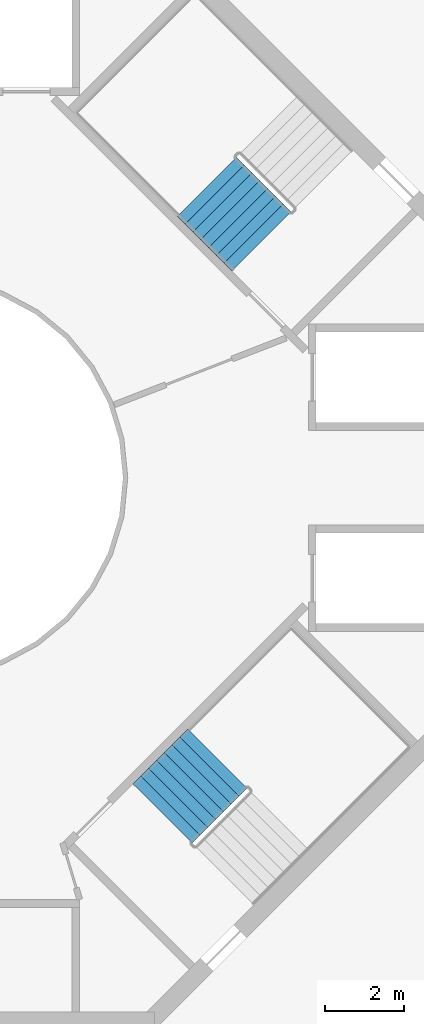
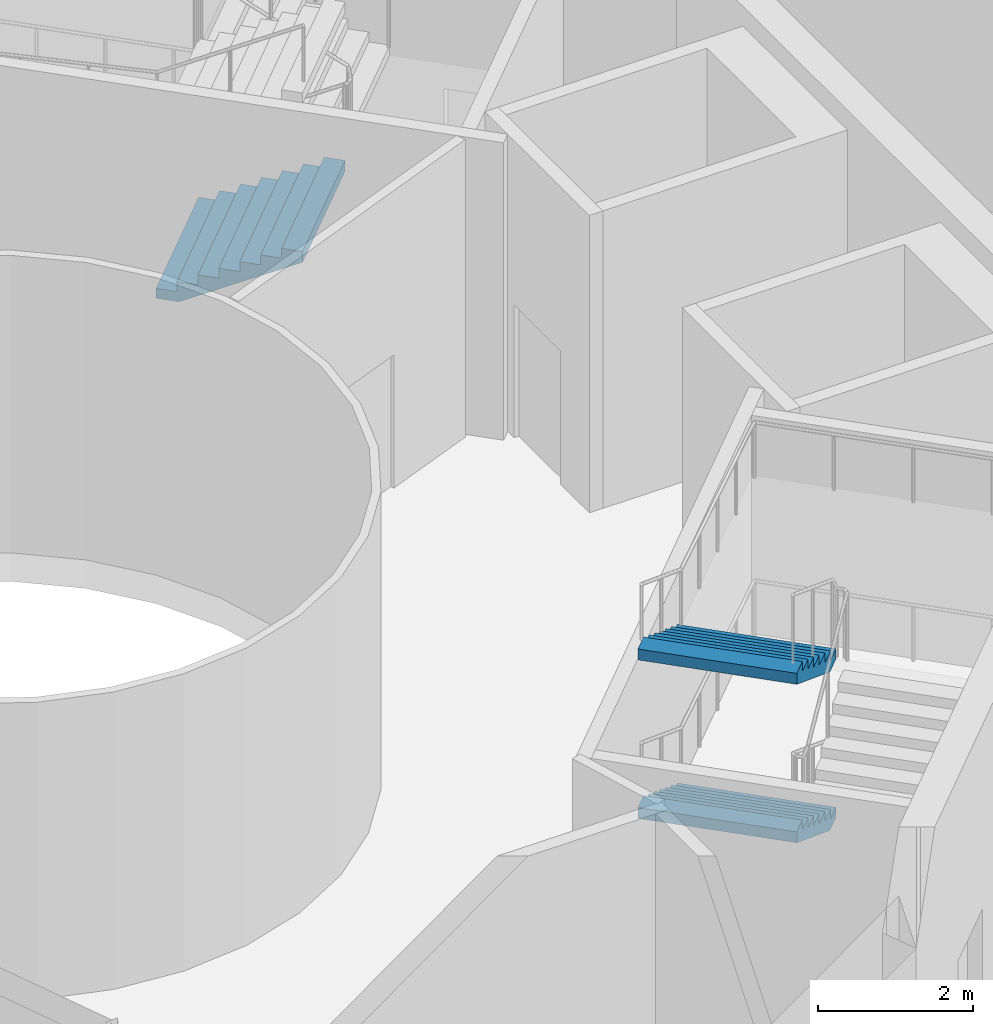
# One storey, part 18 of 21: 3 stair flights, 2 elements without a shape of their own.
"""IFC4 building model written with IfcOpenShell, lengths in metres."""

import ifcopenshell
import ifcopenshell.guid

model = None  # the IFC model being written
_history = None  # IfcOwnerHistory: only IFC2X3 demands one
_inside = {}  # id of a spatial element -> (the spatial element, [elements in it])
_under = {}  # id of a project, library or spatial element -> (it, [spatial elements below it])
_declared = {}  # id of a project -> (the project, [libraries it declares])
_typed = {}  # id of a type object -> (the type object, [elements of that type])
_made_of = {}  # id of a material, layer set ... -> (it, [elements and type objects made of it])


def new_model(schema):
    """Start an empty IFC model of exactly this schema.

    Asked for "IFC4X3", IfcOpenShell would pick the latest addendum, in which some entities
    have other attributes; the version numbers below select the first issue.
    IFC2X3 requires an IfcOwnerHistory on every rooted entity: one is made here for all.
    """
    global model, _history
    if schema == "IFC4X3":
        model = ifcopenshell.file(schema_version=(4, 3, 0, 0))
    else:
        model = ifcopenshell.file(schema=schema)
    _inside.clear()
    _under.clear()
    _declared.clear()
    _typed.clear()
    _made_of.clear()
    _history = None
    if model.schema == "IFC2X3":
        org = make("IfcOrganization", Name="unknown")
        user = make(
            "IfcPersonAndOrganization",
            ThePerson=make("IfcPerson", FamilyName="unknown"),
            TheOrganization=org,
        )
        app = make(
            "IfcApplication",
            ApplicationDeveloper=org,
            Version="unknown",
            ApplicationFullName="unknown",
            ApplicationIdentifier="unknown",
        )
        _history = make(
            "IfcOwnerHistory",
            OwningUser=user,
            OwningApplication=app,
            ChangeAction="ADDED",
            CreationDate=0,
        )
    return model


def make(cls, **values):
    """One entity of the class cls with the attributes given. An attribute that is None is left unset."""
    return model.create_entity(
        cls, **{name: value for name, value in values.items() if value is not None}
    )


def rooted(cls, **values):
    """An entity with a GlobalId (a new one), such as an element, a storey or a relation."""
    return make(cls, GlobalId=ifcopenshell.guid.new(), OwnerHistory=_history, **values)


def si_unit(unit_type, name, prefix=None):
    """IfcSIUnit, for example si_unit("LENGTHUNIT", "METRE", prefix="MILLI")."""
    return make("IfcSIUnit", UnitType=unit_type, Prefix=prefix, Name=name)


def assignment(units):
    """IfcUnitAssignment: the units of a project."""
    return None if units is None else make("IfcUnitAssignment", Units=units)


def point(xyz):
    """IfcCartesianPoint."""
    return None if xyz is None else make("IfcCartesianPoint", Coordinates=xyz)


def direction(xyz):
    """IfcDirection."""
    return None if xyz is None else make("IfcDirection", DirectionRatios=xyz)


def frame(location, z_axis=None, x_axis=None):
    """IfcAxis2Placement3D, a coordinate frame: its origin and axes. An axis left out is left unset."""
    return make(
        "IfcAxis2Placement3D",
        Location=point(location),
        Axis=direction(z_axis),
        RefDirection=direction(x_axis),
    )


def origin():
    """The frame at (0, 0, 0) with its axes left unset."""
    return frame((0.0, 0.0, 0.0))


def place(relative_to, where):
    """IfcLocalPlacement: puts the frame where relative to a parent placement (None: the world)."""
    return make(
        "IfcLocalPlacement", PlacementRelTo=relative_to, RelativePlacement=where
    )


def context(
    kind, dimensions, precision=None, world=None, true_north=None, identifier=None
):
    """IfcGeometricRepresentationContext, for example the 3D "Model" context."""
    return make(
        "IfcGeometricRepresentationContext",
        ContextIdentifier=identifier,
        ContextType=kind,
        CoordinateSpaceDimension=dimensions,
        Precision=precision,
        WorldCoordinateSystem=world,
        TrueNorth=true_north,
    )


def subcontext(parent, identifier, kind, view, scale=None):
    """IfcGeometricRepresentationSubContext, for example "Body" below "Model"."""
    return make(
        "IfcGeometricRepresentationSubContext",
        ContextIdentifier=identifier,
        ContextType=kind,
        ParentContext=parent,
        TargetScale=scale,
        TargetView=view,
    )


def project(units=None, contexts=None):
    """IfcProject with its units and contexts."""
    return rooted(
        "IfcProject",
        Name="project",
        RepresentationContexts=contexts,
        UnitsInContext=assignment(units),
    )


def spatial(cls, under=None, at=None, **own):
    """A site, building, storey or space (cls), placed at a placement, below another one or the project."""
    s = rooted(cls, ObjectPlacement=at, **own)
    if under is not None:
        _under.setdefault(under.id(), (under, []))[1].append(s)
    return s


def point_list(points):
    """IfcCartesianPointList2D or 3D."""
    cls = (
        "IfcCartesianPointList2D" if len(points[0]) == 2 else "IfcCartesianPointList3D"
    )
    return make(cls, CoordList=points)


def triangles(points, corners, closed=None, point_numbers=None):
    """IfcTriangulatedFaceSet: each triangle names its three corners, points numbered from 1."""
    return make(
        "IfcTriangulatedFaceSet",
        Coordinates=point_list(points),
        Closed=closed,
        CoordIndex=corners,
        PnIndex=point_numbers,
    )


def shape(context_of_items, identifier, shape_type, items):
    """IfcShapeRepresentation: the items that make up one representation, for example the "Body"."""
    return make(
        "IfcShapeRepresentation",
        ContextOfItems=context_of_items,
        RepresentationIdentifier=identifier,
        RepresentationType=shape_type,
        Items=items,
    )


def material(Name=None, Category=None):
    """IfcMaterial."""
    return make("IfcMaterial", Name=Name, Category=Category)


def made_of(thing, what):
    """Note that an element or type object is made of a material, layer set ...; save() writes the relation."""
    if what is not None:
        _made_of.setdefault(what.id(), (what, []))[1].append(thing)
    return thing


def type_object(cls, material=None, **own):
    """A type object (cls), such as IfcWallType, which elements share."""
    return made_of(rooted(cls, **own), material)


def element(
    cls,
    number,
    at=None,
    inside=None,
    cuts=None,
    type_object=None,
    material=None,
    context=None,
    identifier="Body",
    shape_type=None,
    held_by="IfcProductDefinitionShape",
    body=None,
    shapes=None,
    **own,
):
    """One element of the class cls, such as IfcWall. Its Tag is "e" and its number.

    at: its placement. inside: the storey or other place that contains it. cuts: it is an
    opening in that element (IfcRelVoidsElement). A single representation is given by context,
    identifier, shape_type and body (its items); several are given by shapes. held_by: the class
    of the entity that holds the representations. save() writes the other relations.
    """
    e = rooted(cls, Tag="e%d" % number, ObjectPlacement=at, **own)
    if body is not None:
        shapes = [shape(context, identifier, shape_type, body)]
    if shapes is not None:
        e.Representation = make(held_by, Representations=shapes)
    if inside is not None:
        _inside.setdefault(inside.id(), (inside, []))[1].append(e)
    if cuts is not None:
        rooted(
            "IfcRelVoidsElement", RelatingBuildingElement=cuts, RelatedOpeningElement=e
        )
    if type_object is not None:
        _typed.setdefault(type_object.id(), (type_object, []))[1].append(e)
    return made_of(e, material)


def aggregate(whole, parts):
    """IfcRelAggregates: a whole, such as a stair, and the parts it consists of."""
    return rooted("IfcRelAggregates", RelatingObject=whole, RelatedObjects=parts)


def save(model, path):
    """Write the relations noted so far, then the file.

    IfcRelAggregates (storeys below a building ...), IfcRelContainedInSpatialStructure (elements
    in a storey), IfcRelDefinesByType, IfcRelAssociatesMaterial and IfcRelDeclares: one each for
    every whole, place, type object, material and project.
    """
    for whole, parts in _under.values():
        aggregate(whole, parts)
    for where, things in _inside.values():
        rooted(
            "IfcRelContainedInSpatialStructure",
            RelatedElements=things,
            RelatingStructure=where,
        )
    for kind, things in _typed.values():
        rooted("IfcRelDefinesByType", RelatedObjects=things, RelatingType=kind)
    for what, things in _made_of.values():
        rooted("IfcRelAssociatesMaterial", RelatedObjects=things, RelatingMaterial=what)
    for by, libraries in _declared.values():
        rooted("IfcRelDeclares", RelatingContext=by, RelatedDefinitions=libraries)
    model.write(path)


model = new_model("IFC4")

# Units and contexts
model_context = context("Model", 3, precision=1e-05, world=origin(), true_north=direction((0.0, 1.0)))
body_context = subcontext(model_context, "Body", "Model", "MODEL_VIEW")
ifc_project = project(units=[si_unit("LENGTHUNIT", "METRE"), si_unit("AREAUNIT", "SQUARE_METRE"), si_unit("VOLUMEUNIT", "CUBIC_METRE"), si_unit("PLANEANGLEUNIT", "RADIAN"), si_unit("MASSUNIT", "GRAM", prefix="KILO")], contexts=[model_context])

# Site, building, storey
site_placement = place(None, origin())
site = spatial("IfcSite", under=ifc_project, at=site_placement, CompositionType="ELEMENT")
building_placement = place(site_placement, origin())
building = spatial("IfcBuilding", under=site, at=building_placement, Name="Verdalira Terraces Hotel", CompositionType="ELEMENT")
storey_placement = place(building_placement, frame((0.0, 0.0, 269.0)))
storey = spatial("IfcBuildingStorey", under=building, at=storey_placement, Name="L66", CompositionType="ELEMENT", Elevation=269.0)

# Stair, stair flight
ifc_material_1 = material(Name="Concrete C40", Category="concrete")
stair_type = type_object("IfcStairType", Name="Core stair 32 risers 2125 mm wide", PredefinedType="HALF_TURN_STAIR", material=ifc_material_1)
stair_1_placement = place(storey_placement, origin())
stair_1 = element("IfcStair", 1, at=stair_1_placement, inside=storey, type_object=stair_type, Name="L66 Exit stair ST1", PredefinedType="HALF_TURN_STAIR")
ifc_material_2 = material(Name="Concrete C40", Category="concrete")
stair_flight_type = type_object("IfcStairFlightType", Name="Core stair flight 32 risers 2125 mm wide", PredefinedType="STRAIGHT", material=ifc_material_2)
stair_flight_1_placement = place(storey_placement, frame((7.125977, 7.387451, 1.25), z_axis=(0.0, 0.0, 1.0), x_axis=(0.707106781, -0.707106781, 0.0)))
stair_flight_1 = element("IfcStairFlight", 2, at=stair_flight_1_placement, type_object=stair_flight_type, Name="ST1 flight 2", NumberOfRisers=8, NumberOfTreads=7, PredefinedType="STRAIGHT", RiserHeight=0.15625, TreadLength=0.28, context=body_context, shape_type="Tessellation", body=[
    triangles([(0.0, 1.0625, 0.0), (0.307617, 1.0625, 0.0), (1.959961, 1.0625, 0.922119), (0.0, -1.0625, 0.0), (0.307617, -1.0625, 0.0), (1.959961, -1.0625, 0.922119), (1.959961, 1.0625, 1.09375), (1.679932, 1.0625, 1.09375), (1.959961, -1.0625, 1.09375), (1.679932, -1.0625, 1.09375), (1.679932, 1.0625, 0.9375), (1.679932, -1.0625, 0.9375), (1.399902, 1.0625, 0.9375), (1.399902, -1.0625, 0.9375), (1.399902, 1.0625, 0.78125), (1.399902, -1.0625, 0.78125), (1.120117, 1.0625, 0.78125), (1.120117, 1.0625, 0.625), (1.120117, -1.0625, 0.78125), (1.120117, -1.0625, 0.625), (0.840088, 1.0625, 0.625), (0.840088, 1.0625, 0.46875), (0.840088, -1.0625, 0.625), (0.840088, -1.0625, 0.46875), (0.560059, 1.0625, 0.46875), (0.560059, 1.0625, 0.3125), (0.560059, -1.0625, 0.46875), (0.560059, -1.0625, 0.3125), (0.280029, 1.0625, 0.3125), (0.280029, 1.0625, 0.15625), (0.280029, -1.0625, 0.3125), (0.280029, -1.0625, 0.15625), (0.0, 1.0625, 0.15625), (0.0, -1.0625, 0.15625), (0.0, -0.996094, 0.0), (0.0, -0.996094, 0.15625), (0.0, -0.929688, 0.0), (0.0, -0.929688, 0.15625), (0.0, -0.863281, 0.0), (0.0, -0.863281, 0.15625), (0.0, -0.796875, 0.0), (0.0, -0.796875, 0.15625), (0.0, -0.730469, 0.0), (0.0, -0.730469, 0.15625), (0.0, -0.664062, 0.0), (0.0, -0.664062, 0.15625), (0.0, -0.597656, 0.0), (0.0, -0.597656, 0.15625), (0.0, -0.53125, 0.0), (0.0, -0.53125, 0.15625), (0.0, -0.464844, 0.0), (0.0, -0.464844, 0.15625), (0.0, -0.398438, 0.0), (0.0, -0.398438, 0.15625), (0.0, -0.332031, 0.0), (0.0, -0.332031, 0.15625), (0.0, -0.265625, 0.0), (0.0, -0.265625, 0.15625), (0.0, -0.199219, 0.0), (0.0, -0.199219, 0.15625), (0.0, -0.132812, 0.0), (0.0, -0.132812, 0.15625), (0.0, -0.066406, 0.0), (0.0, -0.066406, 0.15625), (0.0, 0.0, 0.0), (0.0, 0.0, 0.15625), (0.0, 0.066406, 0.0), (0.0, 0.066406, 0.15625), (0.0, 0.132812, 0.0), (0.0, 0.132812, 0.15625), (0.0, 0.199219, 0.0), (0.0, 0.199219, 0.15625), (0.0, 0.265625, 0.0), (0.0, 0.265625, 0.15625), (0.0, 0.332031, 0.0), (0.0, 0.332031, 0.15625), (0.0, 0.398438, 0.0), (0.0, 0.398438, 0.15625), (0.0, 0.464844, 0.0), (0.0, 0.464844, 0.15625), (0.0, 0.53125, 0.0), (0.0, 0.53125, 0.15625), (0.0, 0.597656, 0.0), (0.0, 0.597656, 0.15625), (0.0, 0.664062, 0.0), (0.0, 0.664062, 0.15625), (0.0, 0.730469, 0.0), (0.0, 0.730469, 0.15625), (0.0, 0.796875, 0.0), (0.0, 0.796875, 0.15625), (0.0, 0.863281, 0.0), (0.0, 0.863281, 0.15625), (0.0, 0.929688, 0.0), (0.0, 0.929688, 0.15625), (0.0, 0.996094, 0.0), (0.0, 0.996094, 0.15625), (1.959961, -0.996094, 1.09375), (1.959961, -0.929688, 1.09375), (1.959961, -0.863281, 1.09375), (1.959961, -0.796875, 1.09375), (1.959961, -0.730469, 1.09375), (1.959961, -0.664062, 1.09375), (1.959961, -0.597656, 1.09375), (1.959961, -0.53125, 1.09375), (1.959961, -0.464844, 1.09375), (1.959961, -0.398438, 1.09375), (1.959961, -0.332031, 1.09375), (1.959961, -0.265625, 1.09375), (1.959961, -0.199219, 1.09375), (1.959961, -0.132812, 1.09375), (1.959961, -0.066406, 1.09375), (1.959961, 0.0, 1.09375), (1.959961, 0.066406, 1.09375), (1.959961, 0.132812, 1.09375), (1.959961, 0.199219, 1.09375), (1.959961, 0.265625, 1.09375), (1.959961, 0.332031, 1.09375), (1.959961, 0.398438, 1.09375), (1.959961, 0.464844, 1.09375), (1.959961, 0.53125, 1.09375), (1.959961, 0.597656, 1.09375), (1.959961, 0.664062, 1.09375), (1.959961, 0.730469, 1.09375), (1.959961, 0.796875, 1.09375), (1.959961, 0.863281, 1.09375), (1.959961, 0.929688, 1.09375), (1.959961, 0.996094, 1.09375), (1.959961, -0.996094, 0.922119), (1.959961, -0.929688, 0.922119), (1.959961, -0.863281, 0.922119), (1.959961, -0.796875, 0.922119), (1.959961, -0.730469, 0.922119), (1.959961, -0.664062, 0.922119), (1.959961, -0.597656, 0.922119), (1.959961, -0.53125, 0.922119), (1.959961, -0.464844, 0.922119), (1.959961, -0.398438, 0.922119), (1.959961, -0.332031, 0.922119), (1.959961, -0.265625, 0.922119), (1.959961, -0.199219, 0.922119), (1.959961, -0.132812, 0.922119), (1.959961, -0.066406, 0.922119), (1.959961, 0.0, 0.922119), (1.959961, 0.066406, 0.922119), (1.959961, 0.132812, 0.922119), (1.959961, 0.199219, 0.922119), (1.959961, 0.265625, 0.922119), (1.959961, 0.332031, 0.922119), (1.959961, 0.398438, 0.922119), (1.959961, 0.464844, 0.922119), (1.959961, 0.53125, 0.922119), (1.959961, 0.597656, 0.922119), (1.959961, 0.664062, 0.922119), (1.959961, 0.730469, 0.922119), (1.959961, 0.796875, 0.922119), (1.959961, 0.863281, 0.922119), (1.959961, 0.929688, 0.922119), (1.959961, 0.996094, 0.922119)], [[1, 3, 2], [4, 5, 6], [3, 8, 7], [6, 9, 10], [3, 11, 8], [6, 10, 12], [3, 13, 11], [6, 12, 14], [3, 15, 13], [6, 14, 16], [15, 18, 17], [16, 19, 20], [3, 18, 15], [6, 16, 20], [18, 22, 21], [20, 23, 24], [3, 22, 18], [6, 20, 24], [22, 26, 25], [24, 27, 28], [3, 26, 22], [6, 24, 28], [26, 30, 29], [28, 31, 32], [3, 30, 26], [6, 28, 32], [1, 30, 3], [4, 6, 32], [30, 1, 33], [32, 34, 4], [4, 36, 35], [4, 34, 36], [35, 38, 37], [35, 36, 38], [37, 40, 39], [37, 38, 40], [39, 42, 41], [39, 40, 42], [41, 44, 43], [41, 42, 44], [43, 46, 45], [43, 44, 46], [45, 48, 47], [45, 46, 48], [47, 50, 49], [47, 48, 50], [49, 52, 51], [49, 50, 52], [51, 54, 53], [51, 52, 54], [53, 56, 55], [53, 54, 56], [55, 58, 57], [55, 56, 58], [57, 60, 59], [57, 58, 60], [59, 62, 61], [59, 60, 62], [61, 64, 63], [61, 62, 64], [63, 66, 65], [63, 64, 66], [65, 68, 67], [65, 66, 68], [67, 70, 69], [67, 68, 70], [69, 72, 71], [69, 70, 72], [71, 74, 73], [71, 72, 74], [73, 76, 75], [73, 74, 76], [75, 78, 77], [75, 76, 78], [77, 80, 79], [77, 78, 80], [79, 82, 81], [79, 80, 82], [81, 84, 83], [81, 82, 84], [83, 86, 85], [83, 84, 86], [85, 88, 87], [85, 86, 88], [87, 90, 89], [87, 88, 90], [89, 92, 91], [89, 90, 92], [91, 94, 93], [91, 92, 94], [93, 96, 95], [93, 94, 96], [95, 33, 1], [95, 96, 33], [34, 32, 36], [36, 32, 38], [38, 32, 40], [40, 32, 42], [42, 32, 44], [44, 32, 46], [46, 32, 48], [48, 32, 50], [50, 32, 52], [52, 32, 54], [54, 32, 56], [56, 32, 58], [58, 32, 60], [60, 32, 62], [62, 32, 64], [64, 32, 66], [66, 32, 68], [68, 32, 70], [70, 32, 72], [72, 32, 74], [74, 32, 76], [76, 32, 78], [78, 32, 80], [80, 32, 82], [82, 32, 84], [84, 32, 86], [86, 32, 88], [88, 32, 90], [90, 32, 92], [92, 32, 94], [94, 32, 96], [96, 32, 33], [33, 32, 30], [32, 29, 30], [32, 31, 29], [31, 26, 29], [31, 28, 26], [28, 25, 26], [28, 27, 25], [27, 22, 25], [27, 24, 22], [24, 21, 22], [24, 23, 21], [23, 18, 21], [23, 20, 18], [20, 17, 18], [20, 19, 17], [19, 15, 17], [19, 16, 15], [16, 13, 15], [16, 14, 13], [14, 11, 13], [14, 12, 11], [12, 8, 11], [12, 10, 8], [9, 97, 10], [97, 98, 10], [98, 99, 10], [99, 100, 10], [100, 101, 10], [101, 102, 10], [102, 103, 10], [103, 104, 10], [104, 105, 10], [105, 106, 10], [106, 107, 10], [107, 108, 10], [108, 109, 10], [109, 110, 10], [110, 111, 10], [111, 112, 10], [112, 113, 10], [113, 114, 10], [114, 115, 10], [115, 116, 10], [116, 117, 10], [117, 118, 10], [118, 119, 10], [119, 120, 10], [120, 121, 10], [121, 122, 10], [122, 123, 10], [123, 124, 10], [124, 125, 10], [125, 126, 10], [126, 127, 10], [127, 7, 10], [7, 8, 10], [9, 128, 97], [9, 6, 128], [97, 129, 98], [97, 128, 129], [98, 130, 99], [98, 129, 130], [99, 131, 100], [99, 130, 131], [100, 132, 101], [100, 131, 132], [101, 133, 102], [101, 132, 133], [102, 134, 103], [102, 133, 134], [103, 135, 104], [103, 134, 135], [104, 136, 105], [104, 135, 136], [105, 137, 106], [105, 136, 137], [106, 138, 107], [106, 137, 138], [107, 139, 108], [107, 138, 139], [108, 140, 109], [108, 139, 140], [109, 141, 110], [109, 140, 141], [110, 142, 111], [110, 141, 142], [111, 143, 112], [111, 142, 143], [112, 144, 113], [112, 143, 144], [113, 145, 114], [113, 144, 145], [114, 146, 115], [114, 145, 146], [115, 147, 116], [115, 146, 147], [116, 148, 117], [116, 147, 148], [117, 149, 118], [117, 148, 149], [118, 150, 119], [118, 149, 150], [119, 151, 120], [119, 150, 151], [120, 152, 121], [120, 151, 152], [121, 153, 122], [121, 152, 153], [122, 154, 123], [122, 153, 154], [123, 155, 124], [123, 154, 155], [124, 156, 125], [124, 155, 156], [125, 157, 126], [125, 156, 157], [126, 158, 127], [126, 157, 158], [127, 3, 7], [127, 158, 3], [6, 5, 128], [128, 5, 129], [129, 5, 130], [130, 5, 131], [131, 5, 132], [132, 5, 133], [133, 5, 134], [134, 5, 135], [135, 5, 136], [136, 5, 137], [137, 5, 138], [138, 5, 139], [139, 5, 140], [140, 5, 141], [141, 5, 142], [142, 5, 143], [143, 5, 144], [144, 5, 145], [145, 5, 146], [146, 5, 147], [147, 5, 148], [148, 5, 149], [149, 5, 150], [150, 5, 151], [151, 5, 152], [152, 5, 153], [153, 5, 154], [154, 5, 155], [155, 5, 156], [156, 5, 157], [157, 5, 158], [158, 5, 3], [3, 5, 2], [4, 35, 5], [35, 37, 5], [37, 39, 5], [39, 41, 5], [41, 43, 5], [43, 45, 5], [45, 47, 5], [47, 49, 5], [49, 51, 5], [51, 53, 5], [53, 55, 5], [55, 57, 5], [57, 59, 5], [59, 61, 5], [61, 63, 5], [63, 65, 5], [65, 67, 5], [67, 69, 5], [69, 71, 5], [71, 73, 5], [73, 75, 5], [75, 77, 5], [77, 79, 5], [79, 81, 5], [81, 83, 5], [83, 85, 5], [85, 87, 5], [87, 89, 5], [89, 91, 5], [91, 93, 5], [93, 95, 5], [95, 1, 5], [1, 2, 5]], closed=True),
])
aggregate(stair_1, [stair_flight_1])

# Stair, stair flights
stair_2_placement = place(storey_placement, origin())
stair_2 = element("IfcStair", 3, at=stair_2_placement, inside=storey, type_object=stair_type, Name="L66 Exit stair ST3", PredefinedType="HALF_TURN_STAIR")
stair_flight_2_placement = place(storey_placement, frame((7.387451, -7.125977, 1.25), z_axis=(0.0, 0.0, 1.0), x_axis=(-0.707106781, -0.707106781, 0.0)))
stair_flight_2 = element("IfcStairFlight", 4, at=stair_flight_2_placement, type_object=stair_flight_type, Name="ST3 flight 2", NumberOfRisers=8, NumberOfTreads=7, PredefinedType="STRAIGHT", RiserHeight=0.15625, TreadLength=0.28, context=body_context, shape_type="Tessellation", body=[
    triangles([(0.0, 1.0625, 0.0), (0.307617, 1.0625, 0.0), (1.959961, 1.0625, 0.922119), (0.0, -1.0625, 0.0), (0.307617, -1.0625, 0.0), (1.959961, -1.0625, 0.922119), (1.959961, 1.0625, 1.09375), (1.679932, 1.0625, 1.09375), (1.959961, -1.0625, 1.09375), (1.679932, -1.0625, 1.09375), (1.679932, 1.0625, 0.9375), (1.679932, -1.0625, 0.9375), (1.399902, 1.0625, 0.9375), (1.399902, -1.0625, 0.9375), (1.399902, 1.0625, 0.78125), (1.399902, -1.0625, 0.78125), (1.120117, 1.0625, 0.78125), (1.120117, 1.0625, 0.625), (1.120117, -1.0625, 0.78125), (1.120117, -1.0625, 0.625), (0.840088, 1.0625, 0.625), (0.840088, 1.0625, 0.46875), (0.840088, -1.0625, 0.625), (0.840088, -1.0625, 0.46875), (0.560059, 1.0625, 0.46875), (0.560059, 1.0625, 0.3125), (0.560059, -1.0625, 0.46875), (0.560059, -1.0625, 0.3125), (0.280029, 1.0625, 0.3125), (0.280029, 1.0625, 0.15625), (0.280029, -1.0625, 0.3125), (0.280029, -1.0625, 0.15625), (0.0, 1.0625, 0.15625), (0.0, -1.0625, 0.15625), (0.0, -0.996094, 0.0), (0.0, -0.996094, 0.15625), (0.0, -0.929688, 0.0), (0.0, -0.929688, 0.15625), (0.0, -0.863281, 0.0), (0.0, -0.863281, 0.15625), (0.0, -0.796875, 0.0), (0.0, -0.796875, 0.15625), (0.0, -0.730469, 0.0), (0.0, -0.730469, 0.15625), (0.0, -0.664062, 0.0), (0.0, -0.664062, 0.15625), (0.0, -0.597656, 0.0), (0.0, -0.597656, 0.15625), (0.0, -0.53125, 0.0), (0.0, -0.53125, 0.15625), (0.0, -0.464844, 0.0), (0.0, -0.464844, 0.15625), (0.0, -0.398438, 0.0), (0.0, -0.398438, 0.15625), (0.0, -0.332031, 0.0), (0.0, -0.332031, 0.15625), (0.0, -0.265625, 0.0), (0.0, -0.265625, 0.15625), (0.0, -0.199219, 0.0), (0.0, -0.199219, 0.15625), (0.0, -0.132812, 0.0), (0.0, -0.132812, 0.15625), (0.0, -0.066406, 0.0), (0.0, -0.066406, 0.15625), (0.0, 0.0, 0.0), (0.0, 0.0, 0.15625), (0.0, 0.066406, 0.0), (0.0, 0.066406, 0.15625), (0.0, 0.132812, 0.0), (0.0, 0.132812, 0.15625), (0.0, 0.199219, 0.0), (0.0, 0.199219, 0.15625), (0.0, 0.265625, 0.0), (0.0, 0.265625, 0.15625), (0.0, 0.332031, 0.0), (0.0, 0.332031, 0.15625), (0.0, 0.398438, 0.0), (0.0, 0.398438, 0.15625), (0.0, 0.464844, 0.0), (0.0, 0.464844, 0.15625), (0.0, 0.53125, 0.0), (0.0, 0.53125, 0.15625), (0.0, 0.597656, 0.0), (0.0, 0.597656, 0.15625), (0.0, 0.664062, 0.0), (0.0, 0.664062, 0.15625), (0.0, 0.730469, 0.0), (0.0, 0.730469, 0.15625), (0.0, 0.796875, 0.0), (0.0, 0.796875, 0.15625), (0.0, 0.863281, 0.0), (0.0, 0.863281, 0.15625), (0.0, 0.929688, 0.0), (0.0, 0.929688, 0.15625), (0.0, 0.996094, 0.0), (0.0, 0.996094, 0.15625), (1.959961, -0.996094, 1.09375), (1.959961, -0.929688, 1.09375), (1.959961, -0.863281, 1.09375), (1.959961, -0.796875, 1.09375), (1.959961, -0.730469, 1.09375), (1.959961, -0.664062, 1.09375), (1.959961, -0.597656, 1.09375), (1.959961, -0.53125, 1.09375), (1.959961, -0.464844, 1.09375), (1.959961, -0.398438, 1.09375), (1.959961, -0.332031, 1.09375), (1.959961, -0.265625, 1.09375), (1.959961, -0.199219, 1.09375), (1.959961, -0.132812, 1.09375), (1.959961, -0.066406, 1.09375), (1.959961, 0.0, 1.09375), (1.959961, 0.066406, 1.09375), (1.959961, 0.132812, 1.09375), (1.959961, 0.199219, 1.09375), (1.959961, 0.265625, 1.09375), (1.959961, 0.332031, 1.09375), (1.959961, 0.398438, 1.09375), (1.959961, 0.464844, 1.09375), (1.959961, 0.53125, 1.09375), (1.959961, 0.597656, 1.09375), (1.959961, 0.664062, 1.09375), (1.959961, 0.730469, 1.09375), (1.959961, 0.796875, 1.09375), (1.959961, 0.863281, 1.09375), (1.959961, 0.929688, 1.09375), (1.959961, 0.996094, 1.09375), (1.959961, -0.996094, 0.922119), (1.959961, -0.929688, 0.922119), (1.959961, -0.863281, 0.922119), (1.959961, -0.796875, 0.922119), (1.959961, -0.730469, 0.922119), (1.959961, -0.664062, 0.922119), (1.959961, -0.597656, 0.922119), (1.959961, -0.53125, 0.922119), (1.959961, -0.464844, 0.922119), (1.959961, -0.398438, 0.922119), (1.959961, -0.332031, 0.922119), (1.959961, -0.265625, 0.922119), (1.959961, -0.199219, 0.922119), (1.959961, -0.132812, 0.922119), (1.959961, -0.066406, 0.922119), (1.959961, 0.0, 0.922119), (1.959961, 0.066406, 0.922119), (1.959961, 0.132812, 0.922119), (1.959961, 0.199219, 0.922119), (1.959961, 0.265625, 0.922119), (1.959961, 0.332031, 0.922119), (1.959961, 0.398438, 0.922119), (1.959961, 0.464844, 0.922119), (1.959961, 0.53125, 0.922119), (1.959961, 0.597656, 0.922119), (1.959961, 0.664062, 0.922119), (1.959961, 0.730469, 0.922119), (1.959961, 0.796875, 0.922119), (1.959961, 0.863281, 0.922119), (1.959961, 0.929688, 0.922119), (1.959961, 0.996094, 0.922119)], [[1, 3, 2], [4, 5, 6], [3, 8, 7], [6, 9, 10], [3, 11, 8], [6, 10, 12], [3, 13, 11], [6, 12, 14], [3, 15, 13], [6, 14, 16], [15, 18, 17], [16, 19, 20], [3, 18, 15], [6, 16, 20], [18, 22, 21], [20, 23, 24], [3, 22, 18], [6, 20, 24], [22, 26, 25], [24, 27, 28], [3, 26, 22], [6, 24, 28], [26, 30, 29], [28, 31, 32], [3, 30, 26], [6, 28, 32], [1, 30, 3], [4, 6, 32], [30, 1, 33], [32, 34, 4], [4, 36, 35], [4, 34, 36], [35, 38, 37], [35, 36, 38], [37, 40, 39], [37, 38, 40], [39, 42, 41], [39, 40, 42], [41, 44, 43], [41, 42, 44], [43, 46, 45], [43, 44, 46], [45, 48, 47], [45, 46, 48], [47, 50, 49], [47, 48, 50], [49, 52, 51], [49, 50, 52], [51, 54, 53], [51, 52, 54], [53, 56, 55], [53, 54, 56], [55, 58, 57], [55, 56, 58], [57, 60, 59], [57, 58, 60], [59, 62, 61], [59, 60, 62], [61, 64, 63], [61, 62, 64], [63, 66, 65], [63, 64, 66], [65, 68, 67], [65, 66, 68], [67, 70, 69], [67, 68, 70], [69, 72, 71], [69, 70, 72], [71, 74, 73], [71, 72, 74], [73, 76, 75], [73, 74, 76], [75, 78, 77], [75, 76, 78], [77, 80, 79], [77, 78, 80], [79, 82, 81], [79, 80, 82], [81, 84, 83], [81, 82, 84], [83, 86, 85], [83, 84, 86], [85, 88, 87], [85, 86, 88], [87, 90, 89], [87, 88, 90], [89, 92, 91], [89, 90, 92], [91, 94, 93], [91, 92, 94], [93, 96, 95], [93, 94, 96], [95, 33, 1], [95, 96, 33], [34, 32, 36], [36, 32, 38], [38, 32, 40], [40, 32, 42], [42, 32, 44], [44, 32, 46], [46, 32, 48], [48, 32, 50], [50, 32, 52], [52, 32, 54], [54, 32, 56], [56, 32, 58], [58, 32, 60], [60, 32, 62], [62, 32, 64], [64, 32, 66], [66, 32, 68], [68, 32, 70], [70, 32, 72], [72, 32, 74], [74, 32, 76], [76, 32, 78], [78, 32, 80], [80, 32, 82], [82, 32, 84], [84, 32, 86], [86, 32, 88], [88, 32, 90], [90, 32, 92], [92, 32, 94], [94, 32, 96], [96, 32, 33], [33, 32, 30], [32, 29, 30], [32, 31, 29], [31, 26, 29], [31, 28, 26], [28, 25, 26], [28, 27, 25], [27, 22, 25], [27, 24, 22], [24, 21, 22], [24, 23, 21], [23, 18, 21], [23, 20, 18], [20, 17, 18], [20, 19, 17], [19, 15, 17], [19, 16, 15], [16, 13, 15], [16, 14, 13], [14, 11, 13], [14, 12, 11], [12, 8, 11], [12, 10, 8], [9, 97, 10], [97, 98, 10], [98, 99, 10], [99, 100, 10], [100, 101, 10], [101, 102, 10], [102, 103, 10], [103, 104, 10], [104, 105, 10], [105, 106, 10], [106, 107, 10], [107, 108, 10], [108, 109, 10], [109, 110, 10], [110, 111, 10], [111, 112, 10], [112, 113, 10], [113, 114, 10], [114, 115, 10], [115, 116, 10], [116, 117, 10], [117, 118, 10], [118, 119, 10], [119, 120, 10], [120, 121, 10], [121, 122, 10], [122, 123, 10], [123, 124, 10], [124, 125, 10], [125, 126, 10], [126, 127, 10], [127, 7, 10], [7, 8, 10], [9, 128, 97], [9, 6, 128], [97, 129, 98], [97, 128, 129], [98, 130, 99], [98, 129, 130], [99, 131, 100], [99, 130, 131], [100, 132, 101], [100, 131, 132], [101, 133, 102], [101, 132, 133], [102, 134, 103], [102, 133, 134], [103, 135, 104], [103, 134, 135], [104, 136, 105], [104, 135, 136], [105, 137, 106], [105, 136, 137], [106, 138, 107], [106, 137, 138], [107, 139, 108], [107, 138, 139], [108, 140, 109], [108, 139, 140], [109, 141, 110], [109, 140, 141], [110, 142, 111], [110, 141, 142], [111, 143, 112], [111, 142, 143], [112, 144, 113], [112, 143, 144], [113, 145, 114], [113, 144, 145], [114, 146, 115], [114, 145, 146], [115, 147, 116], [115, 146, 147], [116, 148, 117], [116, 147, 148], [117, 149, 118], [117, 148, 149], [118, 150, 119], [118, 149, 150], [119, 151, 120], [119, 150, 151], [120, 152, 121], [120, 151, 152], [121, 153, 122], [121, 152, 153], [122, 154, 123], [122, 153, 154], [123, 155, 124], [123, 154, 155], [124, 156, 125], [124, 155, 156], [125, 157, 126], [125, 156, 157], [126, 158, 127], [126, 157, 158], [127, 3, 7], [127, 158, 3], [6, 5, 128], [128, 5, 129], [129, 5, 130], [130, 5, 131], [131, 5, 132], [132, 5, 133], [133, 5, 134], [134, 5, 135], [135, 5, 136], [136, 5, 137], [137, 5, 138], [138, 5, 139], [139, 5, 140], [140, 5, 141], [141, 5, 142], [142, 5, 143], [143, 5, 144], [144, 5, 145], [145, 5, 146], [146, 5, 147], [147, 5, 148], [148, 5, 149], [149, 5, 150], [150, 5, 151], [151, 5, 152], [152, 5, 153], [153, 5, 154], [154, 5, 155], [155, 5, 156], [156, 5, 157], [157, 5, 158], [158, 5, 3], [3, 5, 2], [4, 35, 5], [35, 37, 5], [37, 39, 5], [39, 41, 5], [41, 43, 5], [43, 45, 5], [45, 47, 5], [47, 49, 5], [49, 51, 5], [51, 53, 5], [53, 55, 5], [55, 57, 5], [57, 59, 5], [59, 61, 5], [61, 63, 5], [63, 65, 5], [65, 67, 5], [67, 69, 5], [69, 71, 5], [71, 73, 5], [73, 75, 5], [75, 77, 5], [77, 79, 5], [79, 81, 5], [81, 83, 5], [83, 85, 5], [85, 87, 5], [87, 89, 5], [89, 91, 5], [91, 93, 5], [93, 95, 5], [95, 1, 5], [1, 2, 5]], closed=True),
])
stair_flight_3_placement = place(storey_placement, frame((7.387451, -7.125977, 3.75), z_axis=(0.0, 0.0, 1.0), x_axis=(-0.707106781, -0.707106781, 0.0)))
stair_flight_3 = element("IfcStairFlight", 5, at=stair_flight_3_placement, type_object=stair_flight_type, Name="ST3 flight 4", NumberOfRisers=8, NumberOfTreads=7, PredefinedType="STRAIGHT", RiserHeight=0.15625, TreadLength=0.28, context=body_context, shape_type="Tessellation", body=[
    triangles([(0.0, 1.0625, 0.0), (0.307617, 1.0625, 0.0), (1.959961, 1.0625, 0.922119), (0.0, -1.0625, 0.0), (0.307617, -1.0625, 0.0), (1.959961, -1.0625, 0.922119), (1.959961, 1.0625, 1.09375), (1.679932, 1.0625, 1.09375), (1.959961, -1.0625, 1.09375), (1.679932, -1.0625, 1.09375), (1.679932, 1.0625, 0.9375), (1.679932, -1.0625, 0.9375), (1.399902, 1.0625, 0.9375), (1.399902, -1.0625, 0.9375), (1.399902, 1.0625, 0.78125), (1.399902, -1.0625, 0.78125), (1.120117, 1.0625, 0.78125), (1.120117, 1.0625, 0.625), (1.120117, -1.0625, 0.78125), (1.120117, -1.0625, 0.625), (0.840088, 1.0625, 0.625), (0.840088, 1.0625, 0.46875), (0.840088, -1.0625, 0.625), (0.840088, -1.0625, 0.46875), (0.560059, 1.0625, 0.46875), (0.560059, 1.0625, 0.3125), (0.560059, -1.0625, 0.46875), (0.560059, -1.0625, 0.3125), (0.280029, 1.0625, 0.3125), (0.280029, 1.0625, 0.15625), (0.280029, -1.0625, 0.3125), (0.280029, -1.0625, 0.15625), (0.0, 1.0625, 0.15625), (0.0, -1.0625, 0.15625), (0.0, -0.996094, 0.0), (0.0, -0.996094, 0.15625), (0.0, -0.929688, 0.0), (0.0, -0.929688, 0.15625), (0.0, -0.863281, 0.0), (0.0, -0.863281, 0.15625), (0.0, -0.796875, 0.0), (0.0, -0.796875, 0.15625), (0.0, -0.730469, 0.0), (0.0, -0.730469, 0.15625), (0.0, -0.664062, 0.0), (0.0, -0.664062, 0.15625), (0.0, -0.597656, 0.0), (0.0, -0.597656, 0.15625), (0.0, -0.53125, 0.0), (0.0, -0.53125, 0.15625), (0.0, -0.464844, 0.0), (0.0, -0.464844, 0.15625), (0.0, -0.398438, 0.0), (0.0, -0.398438, 0.15625), (0.0, -0.332031, 0.0), (0.0, -0.332031, 0.15625), (0.0, -0.265625, 0.0), (0.0, -0.265625, 0.15625), (0.0, -0.199219, 0.0), (0.0, -0.199219, 0.15625), (0.0, -0.132812, 0.0), (0.0, -0.132812, 0.15625), (0.0, -0.066406, 0.0), (0.0, -0.066406, 0.15625), (0.0, 0.0, 0.0), (0.0, 0.0, 0.15625), (0.0, 0.066406, 0.0), (0.0, 0.066406, 0.15625), (0.0, 0.132812, 0.0), (0.0, 0.132812, 0.15625), (0.0, 0.199219, 0.0), (0.0, 0.199219, 0.15625), (0.0, 0.265625, 0.0), (0.0, 0.265625, 0.15625), (0.0, 0.332031, 0.0), (0.0, 0.332031, 0.15625), (0.0, 0.398438, 0.0), (0.0, 0.398438, 0.15625), (0.0, 0.464844, 0.0), (0.0, 0.464844, 0.15625), (0.0, 0.53125, 0.0), (0.0, 0.53125, 0.15625), (0.0, 0.597656, 0.0), (0.0, 0.597656, 0.15625), (0.0, 0.664062, 0.0), (0.0, 0.664062, 0.15625), (0.0, 0.730469, 0.0), (0.0, 0.730469, 0.15625), (0.0, 0.796875, 0.0), (0.0, 0.796875, 0.15625), (0.0, 0.863281, 0.0), (0.0, 0.863281, 0.15625), (0.0, 0.929688, 0.0), (0.0, 0.929688, 0.15625), (0.0, 0.996094, 0.0), (0.0, 0.996094, 0.15625), (1.959961, -0.996094, 1.09375), (1.959961, -0.929688, 1.09375), (1.959961, -0.863281, 1.09375), (1.959961, -0.796875, 1.09375), (1.959961, -0.730469, 1.09375), (1.959961, -0.664062, 1.09375), (1.959961, -0.597656, 1.09375), (1.959961, -0.53125, 1.09375), (1.959961, -0.464844, 1.09375), (1.959961, -0.398438, 1.09375), (1.959961, -0.332031, 1.09375), (1.959961, -0.265625, 1.09375), (1.959961, -0.199219, 1.09375), (1.959961, -0.132812, 1.09375), (1.959961, -0.066406, 1.09375), (1.959961, 0.0, 1.09375), (1.959961, 0.066406, 1.09375), (1.959961, 0.132812, 1.09375), (1.959961, 0.199219, 1.09375), (1.959961, 0.265625, 1.09375), (1.959961, 0.332031, 1.09375), (1.959961, 0.398438, 1.09375), (1.959961, 0.464844, 1.09375), (1.959961, 0.53125, 1.09375), (1.959961, 0.597656, 1.09375), (1.959961, 0.664062, 1.09375), (1.959961, 0.730469, 1.09375), (1.959961, 0.796875, 1.09375), (1.959961, 0.863281, 1.09375), (1.959961, 0.929688, 1.09375), (1.959961, 0.996094, 1.09375), (1.959961, -0.996094, 0.922119), (1.959961, -0.929688, 0.922119), (1.959961, -0.863281, 0.922119), (1.959961, -0.796875, 0.922119), (1.959961, -0.730469, 0.922119), (1.959961, -0.664062, 0.922119), (1.959961, -0.597656, 0.922119), (1.959961, -0.53125, 0.922119), (1.959961, -0.464844, 0.922119), (1.959961, -0.398438, 0.922119), (1.959961, -0.332031, 0.922119), (1.959961, -0.265625, 0.922119), (1.959961, -0.199219, 0.922119), (1.959961, -0.132812, 0.922119), (1.959961, -0.066406, 0.922119), (1.959961, 0.0, 0.922119), (1.959961, 0.066406, 0.922119), (1.959961, 0.132812, 0.922119), (1.959961, 0.199219, 0.922119), (1.959961, 0.265625, 0.922119), (1.959961, 0.332031, 0.922119), (1.959961, 0.398438, 0.922119), (1.959961, 0.464844, 0.922119), (1.959961, 0.53125, 0.922119), (1.959961, 0.597656, 0.922119), (1.959961, 0.664062, 0.922119), (1.959961, 0.730469, 0.922119), (1.959961, 0.796875, 0.922119), (1.959961, 0.863281, 0.922119), (1.959961, 0.929688, 0.922119), (1.959961, 0.996094, 0.922119)], [[1, 3, 2], [4, 5, 6], [3, 8, 7], [6, 9, 10], [3, 11, 8], [6, 10, 12], [3, 13, 11], [6, 12, 14], [3, 15, 13], [6, 14, 16], [15, 18, 17], [16, 19, 20], [3, 18, 15], [6, 16, 20], [18, 22, 21], [20, 23, 24], [3, 22, 18], [6, 20, 24], [22, 26, 25], [24, 27, 28], [3, 26, 22], [6, 24, 28], [26, 30, 29], [28, 31, 32], [3, 30, 26], [6, 28, 32], [1, 30, 3], [4, 6, 32], [30, 1, 33], [32, 34, 4], [4, 36, 35], [4, 34, 36], [35, 38, 37], [35, 36, 38], [37, 40, 39], [37, 38, 40], [39, 42, 41], [39, 40, 42], [41, 44, 43], [41, 42, 44], [43, 46, 45], [43, 44, 46], [45, 48, 47], [45, 46, 48], [47, 50, 49], [47, 48, 50], [49, 52, 51], [49, 50, 52], [51, 54, 53], [51, 52, 54], [53, 56, 55], [53, 54, 56], [55, 58, 57], [55, 56, 58], [57, 60, 59], [57, 58, 60], [59, 62, 61], [59, 60, 62], [61, 64, 63], [61, 62, 64], [63, 66, 65], [63, 64, 66], [65, 68, 67], [65, 66, 68], [67, 70, 69], [67, 68, 70], [69, 72, 71], [69, 70, 72], [71, 74, 73], [71, 72, 74], [73, 76, 75], [73, 74, 76], [75, 78, 77], [75, 76, 78], [77, 80, 79], [77, 78, 80], [79, 82, 81], [79, 80, 82], [81, 84, 83], [81, 82, 84], [83, 86, 85], [83, 84, 86], [85, 88, 87], [85, 86, 88], [87, 90, 89], [87, 88, 90], [89, 92, 91], [89, 90, 92], [91, 94, 93], [91, 92, 94], [93, 96, 95], [93, 94, 96], [95, 33, 1], [95, 96, 33], [34, 32, 36], [36, 32, 38], [38, 32, 40], [40, 32, 42], [42, 32, 44], [44, 32, 46], [46, 32, 48], [48, 32, 50], [50, 32, 52], [52, 32, 54], [54, 32, 56], [56, 32, 58], [58, 32, 60], [60, 32, 62], [62, 32, 64], [64, 32, 66], [66, 32, 68], [68, 32, 70], [70, 32, 72], [72, 32, 74], [74, 32, 76], [76, 32, 78], [78, 32, 80], [80, 32, 82], [82, 32, 84], [84, 32, 86], [86, 32, 88], [88, 32, 90], [90, 32, 92], [92, 32, 94], [94, 32, 96], [96, 32, 33], [33, 32, 30], [32, 29, 30], [32, 31, 29], [31, 26, 29], [31, 28, 26], [28, 25, 26], [28, 27, 25], [27, 22, 25], [27, 24, 22], [24, 21, 22], [24, 23, 21], [23, 18, 21], [23, 20, 18], [20, 17, 18], [20, 19, 17], [19, 15, 17], [19, 16, 15], [16, 13, 15], [16, 14, 13], [14, 11, 13], [14, 12, 11], [12, 8, 11], [12, 10, 8], [9, 97, 10], [97, 98, 10], [98, 99, 10], [99, 100, 10], [100, 101, 10], [101, 102, 10], [102, 103, 10], [103, 104, 10], [104, 105, 10], [105, 106, 10], [106, 107, 10], [107, 108, 10], [108, 109, 10], [109, 110, 10], [110, 111, 10], [111, 112, 10], [112, 113, 10], [113, 114, 10], [114, 115, 10], [115, 116, 10], [116, 117, 10], [117, 118, 10], [118, 119, 10], [119, 120, 10], [120, 121, 10], [121, 122, 10], [122, 123, 10], [123, 124, 10], [124, 125, 10], [125, 126, 10], [126, 127, 10], [127, 7, 10], [7, 8, 10], [9, 128, 97], [9, 6, 128], [97, 129, 98], [97, 128, 129], [98, 130, 99], [98, 129, 130], [99, 131, 100], [99, 130, 131], [100, 132, 101], [100, 131, 132], [101, 133, 102], [101, 132, 133], [102, 134, 103], [102, 133, 134], [103, 135, 104], [103, 134, 135], [104, 136, 105], [104, 135, 136], [105, 137, 106], [105, 136, 137], [106, 138, 107], [106, 137, 138], [107, 139, 108], [107, 138, 139], [108, 140, 109], [108, 139, 140], [109, 141, 110], [109, 140, 141], [110, 142, 111], [110, 141, 142], [111, 143, 112], [111, 142, 143], [112, 144, 113], [112, 143, 144], [113, 145, 114], [113, 144, 145], [114, 146, 115], [114, 145, 146], [115, 147, 116], [115, 146, 147], [116, 148, 117], [116, 147, 148], [117, 149, 118], [117, 148, 149], [118, 150, 119], [118, 149, 150], [119, 151, 120], [119, 150, 151], [120, 152, 121], [120, 151, 152], [121, 153, 122], [121, 152, 153], [122, 154, 123], [122, 153, 154], [123, 155, 124], [123, 154, 155], [124, 156, 125], [124, 155, 156], [125, 157, 126], [125, 156, 157], [126, 158, 127], [126, 157, 158], [127, 3, 7], [127, 158, 3], [6, 5, 128], [128, 5, 129], [129, 5, 130], [130, 5, 131], [131, 5, 132], [132, 5, 133], [133, 5, 134], [134, 5, 135], [135, 5, 136], [136, 5, 137], [137, 5, 138], [138, 5, 139], [139, 5, 140], [140, 5, 141], [141, 5, 142], [142, 5, 143], [143, 5, 144], [144, 5, 145], [145, 5, 146], [146, 5, 147], [147, 5, 148], [148, 5, 149], [149, 5, 150], [150, 5, 151], [151, 5, 152], [152, 5, 153], [153, 5, 154], [154, 5, 155], [155, 5, 156], [156, 5, 157], [157, 5, 158], [158, 5, 3], [3, 5, 2], [4, 35, 5], [35, 37, 5], [37, 39, 5], [39, 41, 5], [41, 43, 5], [43, 45, 5], [45, 47, 5], [47, 49, 5], [49, 51, 5], [51, 53, 5], [53, 55, 5], [55, 57, 5], [57, 59, 5], [59, 61, 5], [61, 63, 5], [63, 65, 5], [65, 67, 5], [67, 69, 5], [69, 71, 5], [71, 73, 5], [73, 75, 5], [75, 77, 5], [77, 79, 5], [79, 81, 5], [81, 83, 5], [83, 85, 5], [85, 87, 5], [87, 89, 5], [89, 91, 5], [91, 93, 5], [93, 95, 5], [95, 1, 5], [1, 2, 5]], closed=True),
])
aggregate(stair_2, [stair_flight_2, stair_flight_3])

save(model, "model.ifc")
